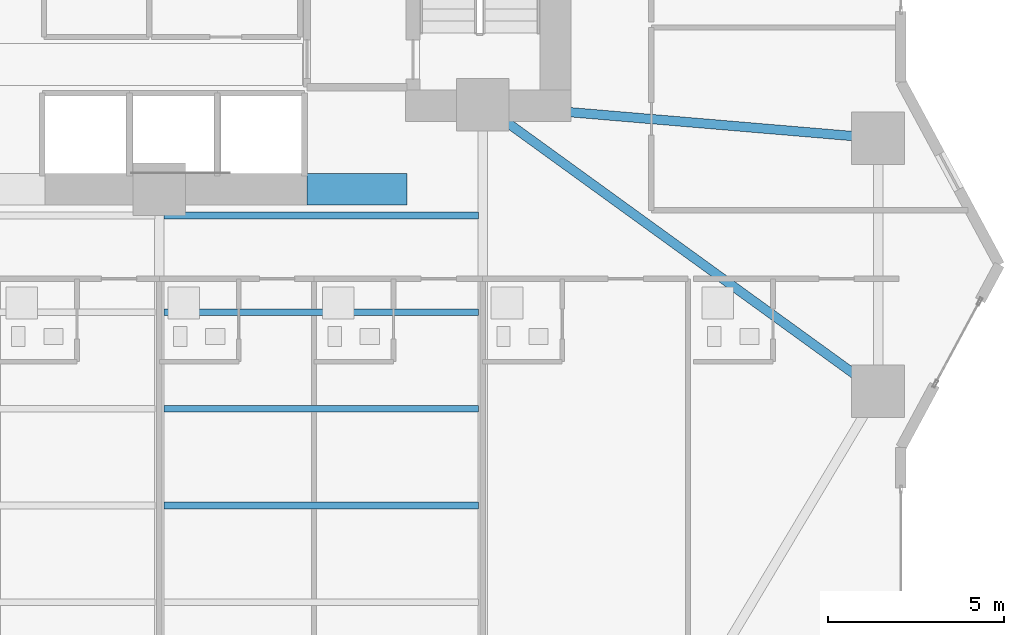
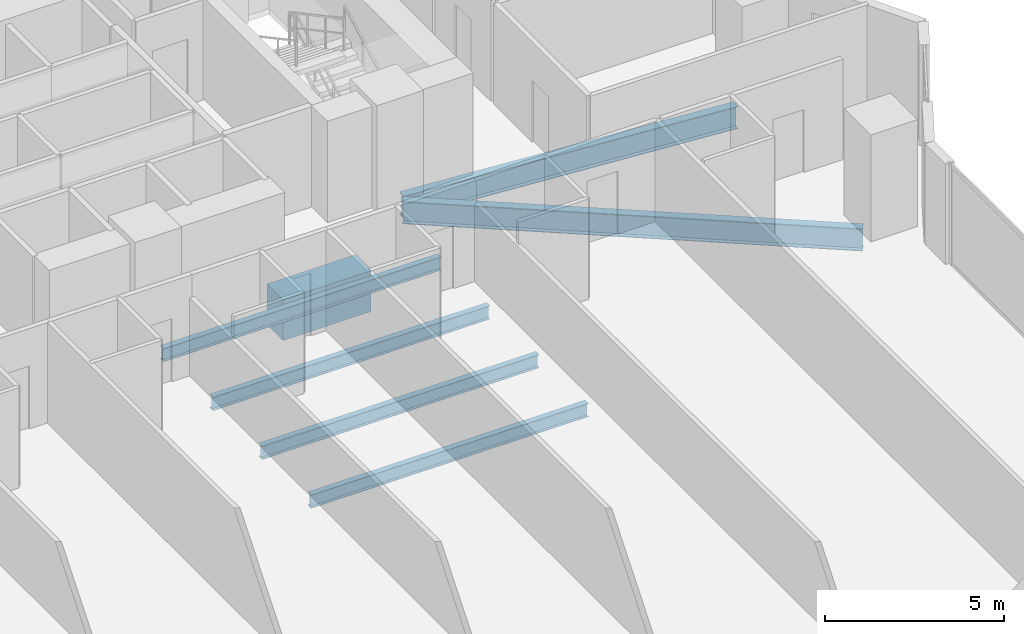
# One storey, part 11 of 29: 7 beams.
"""IFC4 building model written with IfcOpenShell, lengths in metres."""

from ifc_helpers import new_model, si_unit, direction, frame, origin, origin_2d, place, context, subcontext, project, spatial, rectangle, i_section, extrude, material, material_profile, profile_set, type_object, element, save


model = new_model("IFC4")

# Units and contexts
model_context = context("Model", 3, precision=1e-05, world=origin(), true_north=direction((0.0, 1.0)))
body_context = subcontext(model_context, "Body", "Model", "MODEL_VIEW")
ifc_project = project(units=[si_unit("LENGTHUNIT", "METRE"), si_unit("AREAUNIT", "SQUARE_METRE"), si_unit("VOLUMEUNIT", "CUBIC_METRE"), si_unit("PLANEANGLEUNIT", "RADIAN"), si_unit("MASSUNIT", "GRAM", prefix="KILO")], contexts=[model_context])

# Site, building, storey
site_placement = place(None, origin())
site = spatial("IfcSite", under=ifc_project, at=site_placement, CompositionType="ELEMENT")
building_placement = place(site_placement, origin())
building = spatial("IfcBuilding", under=site, at=building_placement, Name="Zuhayl Quay Hotel", CompositionType="ELEMENT")
storey_placement = place(building_placement, frame((0.0, 0.0, 60.449951171875)))
storey = spatial("IfcBuildingStorey", under=building, at=storey_placement, Name="L14", CompositionType="ELEMENT", Elevation=60.449951171875)

# Beams
ifc_material_1 = material(Name="Steel ASTM A992 Grade 50", Category="steel")
ifc_material_profile_1 = material_profile(ifc_material_1, i_section(OverallWidth=0.26708984375, OverallDepth=0.761962890625, WebThickness=0.014404296875, FlangeThickness=0.021484375, at=origin_2d()), Name="W30X116")
ifc_profile_set_1 = profile_set([ifc_material_profile_1], Name="Steel ASTM A992 Grade 50")
beam_type_1 = type_object("IfcBeamType", Name="BM_B1_W30X116", PredefinedType="BEAM", material=ifc_profile_set_1)
beam_1_placement = place(storey_placement, frame((14.164306640625, 4.285888671875, -0.600830078125), z_axis=(0.809830244688, -0.586664277751, 0.0), x_axis=(0.586664277751, 0.809830244688, 0.0)))
element("IfcBeam", 1, at=beam_1_placement, inside=storey, type_object=beam_type_1, Name="L14 Floor Beam FG_E_L14_1", PredefinedType="BEAM", context=body_context, shape_type="SweptSolid", body=[
    extrude(i_section(OverallWidth=0.26708984375, OverallDepth=0.761962890625, WebThickness=0.014404296875, FlangeThickness=0.021484375, at=origin_2d()), origin(), (0.0, 0.0, 1.0), 12.94189453125),
])
beam_2_placement = place(storey_placement, frame((14.248291015625, 4.51220703125, -0.600830078125), z_axis=(0.996453145398, -0.084149444594, 0.0), x_axis=(0.084149444594, 0.996453145398, 0.0)))
element("IfcBeam", 2, at=beam_2_placement, inside=storey, type_object=beam_type_1, Name="L14 Floor Beam FG_E_L14_2", PredefinedType="BEAM", context=body_context, shape_type="SweptSolid", body=[
    extrude(i_section(OverallWidth=0.26708984375, OverallDepth=0.761962890625, WebThickness=0.014404296875, FlangeThickness=0.021484375, at=origin_2d()), origin(), (0.0, 0.0, 1.0), 10.340087890625),
])
ifc_material_2 = material(Name="Concrete C60/75", Category="concrete")
ifc_material_profile_2 = material_profile(ifc_material_2, rectangle(XDim=0.89990234375, YDim=1.39990234375, at=origin_2d()), Name="RC900X1400")
ifc_profile_set_2 = profile_set([ifc_material_profile_2], Name="Concrete C60/75")
beam_type_2 = type_object("IfcBeamType", Name="BM_CB1_RC900", PredefinedType="T_BEAM", material=ifc_profile_set_2)
beam_3_placement = place(storey_placement, frame((8.800048828125, 2.14990234375, -0.919921875), z_axis=(1.0, 0.0, 0.0), x_axis=(0.0, 1.0, 0.0)))
element("IfcBeam", 3, at=beam_3_placement, inside=storey, type_object=beam_type_2, Name="L14 Core Coupling Beam SE", PredefinedType="T_BEAM", context=body_context, shape_type="SweptSolid", body=[
    extrude(rectangle(XDim=0.89990234375, YDim=1.39990234375, at=origin_2d()), origin(), (0.0, 0.0, 1.0), 2.849853515625),
])
ifc_material_profile_3 = material_profile(ifc_material_1, i_section(OverallWidth=0.18994140625, OverallDepth=0.45703125, WebThickness=0.009033203125, FlangeThickness=0.014404296875, at=origin_2d()), Name="W18X50")
ifc_profile_set_3 = profile_set([ifc_material_profile_3], Name="Steel ASTM A992 Grade 50")
beam_type_3 = type_object("IfcBeamType", Name="BM_J2_W18X50", PredefinedType="JOIST", material=ifc_profile_set_3)
for number, where, z_axis, x_axis, name in (
    (4, (4.7255859375, -6.85009765625, -0.448486328125), (1.0, 0.0, 0.0), (0.0, 1.0, 0.0), "L14 Floor Beam FJ_L14_7_3"),
    (5, (4.7255859375, -4.10009765625, -0.448486328125), (1.0, 0.0, 0.0), (0.0, 1.0, 0.0), "L14 Floor Beam FJ_L14_8_3"),
    (6, (4.7255859375, -1.35009765625, -0.448486328125), (1.0, 0.0, 0.0), (0.0, 1.0, 0.0), "L14 Floor Beam FJ_L14_9_3"),
    (7, (4.7255859375, 1.39990234375, -0.448486328125), (1.0, 0.0, 0.0), (0.0, 1.0, 0.0), "L14 Floor Beam FJ_L14_10_3"),
):
    element("IfcBeam", number, at=place(storey_placement, frame(where, z_axis=z_axis, x_axis=x_axis)), inside=storey, type_object=beam_type_3, Name=name, PredefinedType="JOIST", context=body_context, shape_type="SweptSolid", body=[
        extrude(i_section(OverallWidth=0.18994140625, OverallDepth=0.45703125, WebThickness=0.009033203125, FlangeThickness=0.014404296875, at=origin_2d()), origin(), (0.0, 0.0, 1.0), 8.948974609375),
    ])

save(model, "model.ifc")
